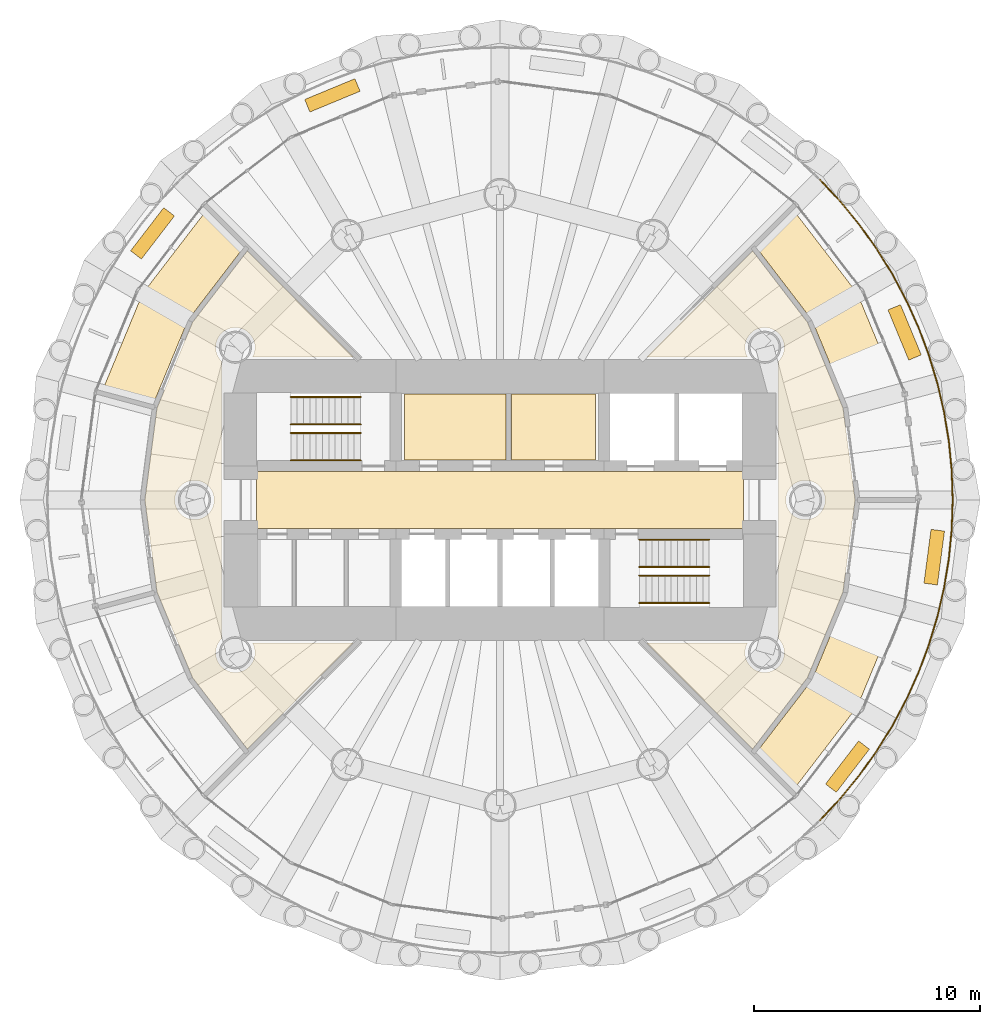
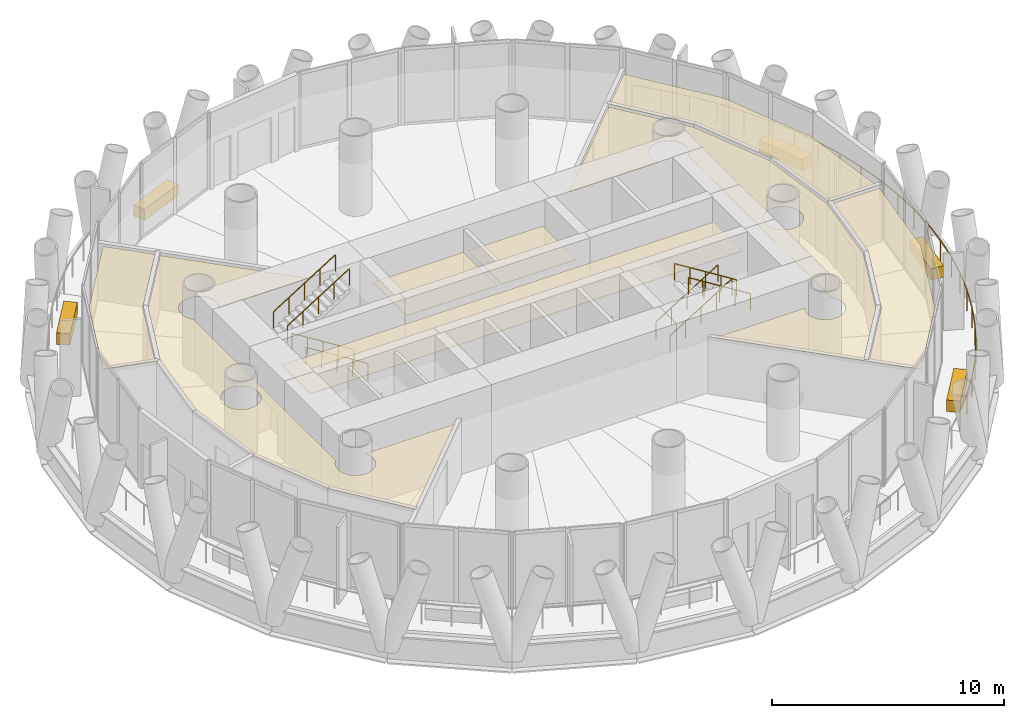
# One storey, part 11 of 12: 13 coverings, 9 railings.
"""IFC4 building model written with IfcOpenShell, lengths in metres."""

from ifc_helpers import new_model, si_unit, direction, frame, origin, origin_2d, place, context, subcontext, project, spatial, polyline, rectangle, circle, outline, extrude, material, layer, layer_set, type_object, element, save


model = new_model("IFC4")

# Units and contexts
model_context = context("Model", 3, precision=1e-05, world=origin(), true_north=direction((0.0, 1.0)))
body_context = subcontext(model_context, "Body", "Model", "MODEL_VIEW")
ifc_project = project(units=[si_unit("LENGTHUNIT", "METRE"), si_unit("AREAUNIT", "SQUARE_METRE"), si_unit("VOLUMEUNIT", "CUBIC_METRE"), si_unit("PLANEANGLEUNIT", "RADIAN"), si_unit("MASSUNIT", "GRAM", prefix="KILO")], contexts=[model_context])

# Site, building, storey
site_placement = place(None, origin())
site = spatial("IfcSite", under=ifc_project, at=site_placement, CompositionType="ELEMENT")
building_placement = place(site_placement, origin())
building = spatial("IfcBuilding", under=site, at=building_placement, Name="Qaws Media Tower", CompositionType="ELEMENT")
storey_placement = place(building_placement, frame((0.0, 0.0, 278.0)))
storey = spatial("IfcBuildingStorey", under=building, at=storey_placement, Name="L64", CompositionType="ELEMENT", Elevation=278.0)

# Covering
ifc_material_1 = material(Name="40 perforated acoustic panels with mineral wool backing, suspended", Category="mineral fibre")
ifc_layer_1 = layer(ifc_material_1, 0.0400390625)
ifc_layer_set_1 = layer_set([ifc_layer_1], Name="Acoustic panel ceiling 40")
covering_type_1 = type_object("IfcCoveringType", Name="Acoustic panel ceiling 40", PredefinedType="CEILING", material=ifc_layer_set_1)
covering_1_placement = place(storey_placement, frame((0.0, 0.0, 2.85009765625)))
element("IfcCovering", 1, at=covering_1_placement, inside=storey, type_object=covering_type_1, Name="CL3 ceiling L64-04 Private dining room", PredefinedType="CEILING", context=body_context, shape_type="SweptSolid", body=[
    extrude(outline(polyline([(44.207763671875, 59.11767578125), (47.03662109375, 62.80419921875), (48.678466796875, 61.16259765625), (46.218505859375, 57.956787109375), (44.672119140625, 54.223388671875), (42.429443359375, 54.824462890625), (44.207763671875, 59.11767578125)])), origin(), (0.0, 0.0, 1.0), 0.039794921875),
])

# Railing
ifc_material_2 = material(Name="Stainless steel and glass guard", Category="steel")
railing_type_1 = type_object("IfcRailingType", Name="Balcony guard 1100", PredefinedType="GUARDRAIL", material=ifc_material_2)
railing_placement = place(storey_placement, frame((74.14208984375, 35.85791015625, 0.0)))
element("IfcRailing", 2, at=railing_placement, inside=storey, type_object=railing_type_1, Name="GR1 balcony guard L64-4", PredefinedType="GUARDRAIL", context=body_context, shape_type="SweptSolid", body=[
    extrude(circle(Radius=0.02392578125, at=origin_2d()), frame((0.0, 0.0, 1.076171875), z_axis=(0.683692877753, 0.729769860237, 0.0), x_axis=(-0.729769860237, 0.683692877753, 0.0)), (0.0, 0.0, 1.0), 1.308837890625),
    extrude(circle(Radius=0.02392578125, at=origin_2d()), frame((0.894775390625, 0.955078125, 1.076171875), z_axis=(0.634405220754, 0.773000657102, 0.0), x_axis=(-0.773000657102, 0.634405220754, 0.0)), (0.0, 0.0, 1.0), 1.308837890625),
    extrude(circle(Radius=0.02392578125, at=origin_2d()), frame((1.72509765625, 1.966796875, 1.076171875), z_axis=(0.582366936008, 0.812926043281, 0.0), x_axis=(-0.812926043281, 0.582366936008, 0.0)), (0.0, 0.0, 1.0), 1.308837890625),
    extrude(circle(Radius=0.02392578125, at=origin_2d()), frame((2.4873046875, 3.03076171875, 1.076171875), z_axis=(0.528119576153, 0.849170014358, 0.0), x_axis=(-0.849170014358, 0.528119576153, 0.0)), (0.0, 0.0, 1.0), 1.308837890625),
    extrude(circle(Radius=0.02392578125, at=origin_2d()), frame((3.178466796875, 4.14208984375, 1.076171875), z_axis=(0.471372268178, 0.881934342677, 0.0), x_axis=(-0.881934342677, 0.471372268178, 0.0)), (0.0, 0.0, 1.0), 1.308837890625),
    extrude(circle(Radius=0.02392578125, at=origin_2d()), frame((3.79541015625, 5.29638671875, 1.076171875), z_axis=(0.412636063644, 0.910895975938, 0.0), x_axis=(-0.910895975938, 0.412636063644, 0.0)), (0.0, 0.0, 1.0), 1.308837890625),
    extrude(circle(Radius=0.02392578125, at=origin_2d()), frame((4.33544921875, 6.488525390625, 1.076171875), z_axis=(0.352370123393, 0.935860724756, 0.0), x_axis=(-0.935860724756, 0.352370123393, 0.0)), (0.0, 0.0, 1.0), 1.308837890625),
    extrude(circle(Radius=0.02392578125, at=origin_2d()), frame((4.796630859375, 7.71337890625, 1.076171875), z_axis=(0.290255896027, 0.95694906595, 0.0), x_axis=(-0.95694906595, 0.290255896027, 0.0)), (0.0, 0.0, 1.0), 1.308837890625),
    extrude(circle(Radius=0.02392578125, at=origin_2d()), frame((5.176513671875, 8.9658203125, 1.076171875), z_axis=(0.227052677428, 0.973882478368, 0.0), x_axis=(-0.973882478368, 0.227052677428, 0.0)), (0.0, 0.0, 1.0), 1.30859375),
    extrude(circle(Radius=0.02392578125, at=origin_2d()), frame((5.4736328125, 10.240234375, 1.076171875), z_axis=(0.162855987782, 0.986649850374, 0.0), x_axis=(-0.986649850374, 0.162855987782, 0.0)), (0.0, 0.0, 1.0), 1.308837890625),
    extrude(circle(Radius=0.02392578125, at=origin_2d()), frame((5.686767578125, 11.531494140625, 1.076171875), z_axis=(0.098118447075, 0.995174743622, 0.0), x_axis=(-0.995174743622, 0.098118447075, 0.0)), (0.0, 0.0, 1.0), 1.308837890625),
    extrude(circle(Radius=0.02392578125, at=origin_2d()), frame((5.815185546875, 12.833984375, 1.076171875), z_axis=(0.032644033644, 0.999467041511, 0.0), x_axis=(-0.999467041511, 0.032644033644, 0.0)), (0.0, 0.0, 1.0), 1.308837890625),
    extrude(circle(Radius=0.02392578125, at=origin_2d()), frame((5.85791015625, 14.14208984375, 1.076171875), z_axis=(-0.032644033644, 0.999467041511, 0.0), x_axis=(-0.999467041511, -0.032644033644, 0.0)), (0.0, 0.0, 1.0), 1.308837890625),
    extrude(circle(Radius=0.02392578125, at=origin_2d()), frame((5.815185546875, 15.4501953125, 1.076171875), z_axis=(-0.098118447075, 0.995174743622, 0.0), x_axis=(-0.995174743622, -0.098118447075, 0.0)), (0.0, 0.0, 1.0), 1.308837890625),
    extrude(circle(Radius=0.02392578125, at=origin_2d()), frame((5.686767578125, 16.752685546875, 1.076171875), z_axis=(-0.162855987782, 0.986649850374, 0.0), x_axis=(-0.986649850374, -0.162855987782, 0.0)), (0.0, 0.0, 1.0), 1.308837890625),
    extrude(circle(Radius=0.02392578125, at=origin_2d()), frame((5.4736328125, 18.0439453125, 1.076171875), z_axis=(-0.227052677428, 0.973882478368, 0.0), x_axis=(-0.973882478368, -0.227052677428, 0.0)), (0.0, 0.0, 1.0), 1.30859375),
    extrude(circle(Radius=0.02392578125, at=origin_2d()), frame((5.176513671875, 19.318359375, 1.076171875), z_axis=(-0.290255896027, 0.95694906595, 0.0), x_axis=(-0.95694906595, -0.290255896027, 0.0)), (0.0, 0.0, 1.0), 1.308837890625),
    extrude(circle(Radius=0.02392578125, at=origin_2d()), frame((4.796630859375, 20.57080078125, 1.076171875), z_axis=(-0.352370123393, 0.935860724756, 0.0), x_axis=(-0.935860724756, -0.352370123393, 0.0)), (0.0, 0.0, 1.0), 1.308837890625),
    extrude(circle(Radius=0.02392578125, at=origin_2d()), frame((4.33544921875, 21.795654296875, 1.076171875), z_axis=(-0.412636063644, 0.910895975938, 0.0), x_axis=(-0.910895975938, -0.412636063644, 0.0)), (0.0, 0.0, 1.0), 1.308837890625),
    extrude(circle(Radius=0.02392578125, at=origin_2d()), frame((3.79541015625, 22.98779296875, 1.076171875), z_axis=(-0.471372268178, 0.881934342677, 0.0), x_axis=(-0.881934342677, -0.471372268178, 0.0)), (0.0, 0.0, 1.0), 1.308837890625),
    extrude(circle(Radius=0.02392578125, at=origin_2d()), frame((3.178466796875, 24.14208984375, 1.076171875), z_axis=(-0.528119576153, 0.849170014358, 0.0), x_axis=(-0.849170014358, -0.528119576153, 0.0)), (0.0, 0.0, 1.0), 1.308837890625),
    extrude(circle(Radius=0.02392578125, at=origin_2d()), frame((2.4873046875, 25.25341796875, 1.076171875), z_axis=(-0.582366936008, 0.812926043281, 0.0), x_axis=(-0.812926043281, -0.582366936008, 0.0)), (0.0, 0.0, 1.0), 1.308837890625),
    extrude(circle(Radius=0.02392578125, at=origin_2d()), frame((1.72509765625, 26.3173828125, 1.076171875), z_axis=(-0.634405220754, 0.773000657102, 0.0), x_axis=(-0.773000657102, -0.634405220754, 0.0)), (0.0, 0.0, 1.0), 1.308837890625),
    extrude(circle(Radius=0.02392578125, at=origin_2d()), frame((0.894775390625, 27.3291015625, 1.076171875), z_axis=(-0.683692877753, 0.729769860237, 0.0), x_axis=(-0.729769860237, -0.683692877753, 0.0)), (0.0, 0.0, 1.0), 1.308837890625),
    extrude(circle(Radius=0.02099609375, at=origin_2d()), origin(), (0.0, 0.0, 1.0), 1.052001953125),
    extrude(circle(Radius=0.02099609375, at=origin_2d()), frame((0.894775390625, 0.955078125, 0.0)), (0.0, 0.0, 1.0), 1.052001953125),
    extrude(circle(Radius=0.02099609375, at=origin_2d()), frame((1.72509765625, 1.966796875, 0.0)), (0.0, 0.0, 1.0), 1.052001953125),
    extrude(circle(Radius=0.02099609375, at=origin_2d()), frame((2.4873046875, 3.03076171875, 0.0)), (0.0, 0.0, 1.0), 1.052001953125),
    extrude(circle(Radius=0.02099609375, at=origin_2d()), frame((3.178466796875, 4.14208984375, 0.0)), (0.0, 0.0, 1.0), 1.052001953125),
    extrude(circle(Radius=0.02099609375, at=origin_2d()), frame((3.79541015625, 5.29638671875, 0.0)), (0.0, 0.0, 1.0), 1.052001953125),
    extrude(circle(Radius=0.02099609375, at=origin_2d()), frame((4.33544921875, 6.488525390625, 0.0)), (0.0, 0.0, 1.0), 1.052001953125),
    extrude(circle(Radius=0.02099609375, at=origin_2d()), frame((4.796630859375, 7.71337890625, 0.0)), (0.0, 0.0, 1.0), 1.052001953125),
    extrude(circle(Radius=0.02099609375, at=origin_2d()), frame((5.176513671875, 8.9658203125, 0.0)), (0.0, 0.0, 1.0), 1.052001953125),
    extrude(circle(Radius=0.02099609375, at=origin_2d()), frame((5.4736328125, 10.240234375, 0.0)), (0.0, 0.0, 1.0), 1.052001953125),
    extrude(circle(Radius=0.02099609375, at=origin_2d()), frame((5.686767578125, 11.531494140625, 0.0)), (0.0, 0.0, 1.0), 1.052001953125),
    extrude(circle(Radius=0.02099609375, at=origin_2d()), frame((5.815185546875, 12.833984375, 0.0)), (0.0, 0.0, 1.0), 1.052001953125),
    extrude(circle(Radius=0.02099609375, at=origin_2d()), frame((5.85791015625, 14.14208984375, 0.0)), (0.0, 0.0, 1.0), 1.052001953125),
    extrude(circle(Radius=0.02099609375, at=origin_2d()), frame((5.815185546875, 15.4501953125, 0.0)), (0.0, 0.0, 1.0), 1.052001953125),
    extrude(circle(Radius=0.02099609375, at=origin_2d()), frame((5.686767578125, 16.752685546875, 0.0)), (0.0, 0.0, 1.0), 1.052001953125),
    extrude(circle(Radius=0.02099609375, at=origin_2d()), frame((5.4736328125, 18.0439453125, 0.0)), (0.0, 0.0, 1.0), 1.052001953125),
    extrude(circle(Radius=0.02099609375, at=origin_2d()), frame((5.176513671875, 19.318359375, 0.0)), (0.0, 0.0, 1.0), 1.052001953125),
    extrude(circle(Radius=0.02099609375, at=origin_2d()), frame((4.796630859375, 20.57080078125, 0.0)), (0.0, 0.0, 1.0), 1.052001953125),
    extrude(circle(Radius=0.02099609375, at=origin_2d()), frame((4.33544921875, 21.795654296875, 0.0)), (0.0, 0.0, 1.0), 1.052001953125),
    extrude(circle(Radius=0.02099609375, at=origin_2d()), frame((3.79541015625, 22.98779296875, 0.0)), (0.0, 0.0, 1.0), 1.052001953125),
    extrude(circle(Radius=0.02099609375, at=origin_2d()), frame((3.178466796875, 24.14208984375, 0.0)), (0.0, 0.0, 1.0), 1.052001953125),
    extrude(circle(Radius=0.02099609375, at=origin_2d()), frame((2.4873046875, 25.25341796875, 0.0)), (0.0, 0.0, 1.0), 1.052001953125),
    extrude(circle(Radius=0.02099609375, at=origin_2d()), frame((1.72509765625, 26.3173828125, 0.0)), (0.0, 0.0, 1.0), 1.052001953125),
    extrude(circle(Radius=0.02099609375, at=origin_2d()), frame((0.894775390625, 27.3291015625, 0.0)), (0.0, 0.0, 1.0), 1.052001953125),
    extrude(circle(Radius=0.02099609375, at=origin_2d()), frame((0.0, 28.2841796875, 0.0)), (0.0, 0.0, 1.0), 1.052001953125),
])

# Coverings
ifc_material_3 = material(Name="600 x 600 mineral fibre tiles in exposed grid, suspended", Category="mineral fibre")
ifc_layer_2 = layer(ifc_material_3, 0.02001953125)
ifc_layer_set_2 = layer_set([ifc_layer_2], Name="Mineral fibre tile ceiling 20")
covering_type_2 = type_object("IfcCoveringType", Name="Mineral fibre tile ceiling 20", PredefinedType="CEILING", material=ifc_layer_set_2)
covering_2_placement = place(storey_placement, frame((0.0, 0.0, 2.85009765625)))
element("IfcCovering", 3, at=covering_2_placement, inside=storey, type_object=covering_type_2, Name="CL1 ceiling L64-C07 Ladies toilets", PredefinedType="CEILING", context=body_context, shape_type="SweptSolid", body=[
    extrude(outline(polyline([(55.77001953125, 51.77001953125), (55.77001953125, 54.679931640625), (60.275390625, 54.679931640625), (60.275390625, 51.77001953125), (55.77001953125, 51.77001953125)])), origin(), (0.0, 0.0, 1.0), 0.02001953125),
])
covering_3_placement = place(storey_placement, frame((0.0, 0.0, 2.85009765625)))
element("IfcCovering", 4, at=covering_3_placement, inside=storey, type_object=covering_type_2, Name="CL1 ceiling L64-C08 Gents toilets", PredefinedType="CEILING", context=body_context, shape_type="SweptSolid", body=[
    extrude(outline(polyline([(60.515380859375, 51.77001953125), (60.515380859375, 54.679931640625), (64.22998046875, 54.679931640625), (64.22998046875, 51.77001953125), (60.515380859375, 51.77001953125)])), origin(), (0.0, 0.0, 1.0), 0.02001953125),
])
covering_4_placement = place(storey_placement, frame((0.0, 0.0, 2.85009765625)))
element("IfcCovering", 5, at=covering_4_placement, inside=storey, type_object=covering_type_2, Name="CL1 ceiling L64-01 Corridor", PredefinedType="CEILING", context=body_context, shape_type="SweptSolid", body=[
    extrude(outline(polyline([(73.5849609375, 57.84326171875), (75.152099609375, 54.06005859375), (75.6865234375, 50.0), (75.152099609375, 45.93994140625), (73.5849609375, 42.15673828125), (71.1611328125, 38.998046875), (66.4716796875, 43.6875), (70.9384765625, 43.6875), (70.88671875, 43.583251953125), (70.85009765625, 43.475341796875), (70.827880859375, 43.36376953125), (70.8203125, 43.25), (70.827880859375, 43.13623046875), (70.85009765625, 43.024658203125), (70.88671875, 42.916748046875), (70.93701171875, 42.814453125), (71.000244140625, 42.7197265625), (71.075439453125, 42.634033203125), (71.1611328125, 42.55908203125), (71.255859375, 42.49560546875), (71.35791015625, 42.4453125), (71.4658203125, 42.40869140625), (71.57763671875, 42.386474609375), (71.69140625, 42.37890625), (71.804931640625, 42.386474609375), (71.916748046875, 42.40869140625), (72.024658203125, 42.4453125), (72.126708984375, 42.49560546875), (72.2216796875, 42.55908203125), (72.30712890625, 42.634033203125), (72.38232421875, 42.7197265625), (72.44580078125, 42.814453125), (72.49609375, 42.916748046875), (72.53271484375, 43.024658203125), (72.554931640625, 43.13623046875), (72.562255859375, 43.25), (72.554931640625, 43.36376953125), (72.53271484375, 43.475341796875), (72.49609375, 43.583251953125), (72.44580078125, 43.685546875), (72.38232421875, 43.7802734375), (72.3125, 43.85986328125), (72.3125, 56.14013671875), (72.38232421875, 56.2197265625), (72.44580078125, 56.314453125), (72.49609375, 56.416748046875), (72.53271484375, 56.524658203125), (72.554931640625, 56.63623046875), (72.562255859375, 56.75), (72.554931640625, 56.86376953125), (72.53271484375, 56.975341796875), (72.49609375, 57.083251953125), (72.44580078125, 57.185546875), (72.38232421875, 57.2802734375), (72.30712890625, 57.365966796875), (72.2216796875, 57.44091796875), (72.126708984375, 57.50439453125), (72.024658203125, 57.5546875), (71.916748046875, 57.59130859375), (71.804931640625, 57.613525390625), (71.69140625, 57.62109375), (71.57763671875, 57.613525390625), (71.4658203125, 57.59130859375), (71.35791015625, 57.5546875), (71.255859375, 57.50439453125), (71.1611328125, 57.44091796875), (71.075439453125, 57.365966796875), (71.000244140625, 57.2802734375), (70.93701171875, 57.185546875), (70.88671875, 57.083251953125), (70.85009765625, 56.975341796875), (70.827880859375, 56.86376953125), (70.8203125, 56.75), (70.827880859375, 56.63623046875), (70.85009765625, 56.524658203125), (70.88671875, 56.416748046875), (70.9384765625, 56.3125), (66.4716796875, 56.3125), (71.1611328125, 61.001953125), (73.5849609375, 57.84326171875)]), holes=[polyline([(74.34130859375, 49.774658203125), (74.363525390625, 49.88623046875), (74.37109375, 50.0), (74.363525390625, 50.11376953125), (74.34130859375, 50.225341796875), (74.3046875, 50.333251953125), (74.25439453125, 50.435546875), (74.19091796875, 50.5302734375), (74.115966796875, 50.615966796875), (74.0302734375, 50.69091796875), (73.935546875, 50.75439453125), (73.833251953125, 50.8046875), (73.725341796875, 50.84130859375), (73.61376953125, 50.863525390625), (73.5, 50.87109375), (73.38623046875, 50.863525390625), (73.274658203125, 50.84130859375), (73.166748046875, 50.8046875), (73.064453125, 50.75439453125), (72.9697265625, 50.69091796875), (72.884033203125, 50.615966796875), (72.80908203125, 50.5302734375), (72.74560546875, 50.435546875), (72.6953125, 50.333251953125), (72.65869140625, 50.225341796875), (72.636474609375, 50.11376953125), (72.62890625, 50.0), (72.636474609375, 49.88623046875), (72.65869140625, 49.774658203125), (72.6953125, 49.666748046875), (72.74560546875, 49.564453125), (72.80908203125, 49.4697265625), (72.884033203125, 49.384033203125), (72.9697265625, 49.30908203125), (73.064453125, 49.24560546875), (73.166748046875, 49.1953125), (73.274658203125, 49.15869140625), (73.38623046875, 49.136474609375), (73.5, 49.12890625), (73.61376953125, 49.136474609375), (73.725341796875, 49.15869140625), (73.833251953125, 49.1953125), (73.935546875, 49.24560546875), (74.0302734375, 49.30908203125), (74.115966796875, 49.384033203125), (74.19091796875, 49.4697265625), (74.25439453125, 49.564453125), (74.3046875, 49.666748046875), (74.34130859375, 49.774658203125)])]), origin(), (0.0, 0.0, 1.0), 0.02001953125),
])
covering_5_placement = place(storey_placement, frame((0.0, 0.0, 2.85009765625)))
element("IfcCovering", 6, at=covering_5_placement, inside=storey, type_object=covering_type_2, Name="CL1 ceiling L64-01-1 Corridor", PredefinedType="CEILING", context=body_context, shape_type="SweptSolid", body=[
    extrude(outline(polyline([(44.847900390625, 54.06005859375), (46.4150390625, 57.84326171875), (48.8388671875, 61.001953125), (53.5283203125, 56.3125), (49.0615234375, 56.3125), (49.11328125, 56.416748046875), (49.14990234375, 56.524658203125), (49.172119140625, 56.63623046875), (49.1796875, 56.75), (49.172119140625, 56.86376953125), (49.14990234375, 56.975341796875), (49.11328125, 57.083251953125), (49.06298828125, 57.185546875), (48.999755859375, 57.2802734375), (48.924560546875, 57.365966796875), (48.8388671875, 57.44091796875), (48.744140625, 57.50439453125), (48.64208984375, 57.5546875), (48.5341796875, 57.59130859375), (48.42236328125, 57.613525390625), (48.30859375, 57.62109375), (48.195068359375, 57.613525390625), (48.083251953125, 57.59130859375), (47.975341796875, 57.5546875), (47.873291015625, 57.50439453125), (47.7783203125, 57.44091796875), (47.69287109375, 57.365966796875), (47.61767578125, 57.2802734375), (47.55419921875, 57.185546875), (47.50390625, 57.083251953125), (47.46728515625, 56.975341796875), (47.445068359375, 56.86376953125), (47.437744140625, 56.75), (47.445068359375, 56.63623046875), (47.46728515625, 56.524658203125), (47.50390625, 56.416748046875), (47.55419921875, 56.314453125), (47.61767578125, 56.2197265625), (47.6875, 56.14013671875), (47.6875, 43.85986328125), (47.61767578125, 43.7802734375), (47.55419921875, 43.685546875), (47.50390625, 43.583251953125), (47.46728515625, 43.475341796875), (47.445068359375, 43.36376953125), (47.437744140625, 43.25), (47.445068359375, 43.13623046875), (47.46728515625, 43.024658203125), (47.50390625, 42.916748046875), (47.55419921875, 42.814453125), (47.61767578125, 42.7197265625), (47.69287109375, 42.634033203125), (47.7783203125, 42.55908203125), (47.873291015625, 42.49560546875), (47.975341796875, 42.4453125), (48.083251953125, 42.40869140625), (48.195068359375, 42.386474609375), (48.30859375, 42.37890625), (48.42236328125, 42.386474609375), (48.5341796875, 42.40869140625), (48.64208984375, 42.4453125), (48.744140625, 42.49560546875), (48.8388671875, 42.55908203125), (48.924560546875, 42.634033203125), (48.999755859375, 42.7197265625), (49.06298828125, 42.814453125), (49.11328125, 42.916748046875), (49.14990234375, 43.024658203125), (49.172119140625, 43.13623046875), (49.1796875, 43.25), (49.172119140625, 43.36376953125), (49.14990234375, 43.475341796875), (49.11328125, 43.583251953125), (49.0615234375, 43.6875), (53.5283203125, 43.6875), (48.8388671875, 38.998046875), (46.4150390625, 42.15673828125), (44.847900390625, 45.93994140625), (44.3134765625, 50.0), (44.847900390625, 54.06005859375)]), holes=[polyline([(47.3046875, 49.666748046875), (47.34130859375, 49.774658203125), (47.363525390625, 49.88623046875), (47.37109375, 50.0), (47.363525390625, 50.11376953125), (47.34130859375, 50.225341796875), (47.3046875, 50.333251953125), (47.25439453125, 50.435546875), (47.19091796875, 50.5302734375), (47.115966796875, 50.615966796875), (47.0302734375, 50.69091796875), (46.935546875, 50.75439453125), (46.833251953125, 50.8046875), (46.725341796875, 50.84130859375), (46.61376953125, 50.863525390625), (46.5, 50.87109375), (46.38623046875, 50.863525390625), (46.274658203125, 50.84130859375), (46.166748046875, 50.8046875), (46.064453125, 50.75439453125), (45.9697265625, 50.69091796875), (45.884033203125, 50.615966796875), (45.80908203125, 50.5302734375), (45.74560546875, 50.435546875), (45.6953125, 50.333251953125), (45.65869140625, 50.225341796875), (45.636474609375, 50.11376953125), (45.62890625, 50.0), (45.636474609375, 49.88623046875), (45.65869140625, 49.774658203125), (45.6953125, 49.666748046875), (45.74560546875, 49.564453125), (45.80908203125, 49.4697265625), (45.884033203125, 49.384033203125), (45.9697265625, 49.30908203125), (46.064453125, 49.24560546875), (46.166748046875, 49.1953125), (46.274658203125, 49.15869140625), (46.38623046875, 49.136474609375), (46.5, 49.12890625), (46.61376953125, 49.136474609375), (46.725341796875, 49.15869140625), (46.833251953125, 49.1953125), (46.935546875, 49.24560546875), (47.0302734375, 49.30908203125), (47.115966796875, 49.384033203125), (47.19091796875, 49.4697265625), (47.25439453125, 49.564453125), (47.3046875, 49.666748046875)])]), origin(), (0.0, 0.0, 1.0), 0.02001953125),
])
covering_6_placement = place(storey_placement, frame((0.0, 0.0, 2.85009765625)))
element("IfcCovering", 7, at=covering_6_placement, inside=storey, type_object=covering_type_2, Name="CL1 ceiling L64-02 Guest lounge", PredefinedType="CEILING", context=body_context, shape_type="SweptSolid", body=[
    extrude(outline(polyline([(75.792236328125, 59.11767578125), (77.614013671875, 54.719482421875), (78.220458984375, 50.112548828125), (75.898681640625, 50.112548828125), (75.37109375, 54.11865234375), (73.781494140625, 57.956787109375), (71.321533203125, 61.16259765625), (72.96337890625, 62.80419921875), (75.792236328125, 59.11767578125)])), origin(), (0.0, 0.0, 1.0), 0.02001953125),
])
covering_7_placement = place(storey_placement, frame((0.0, 0.0, 2.85009765625)))
element("IfcCovering", 8, at=covering_7_placement, inside=storey, type_object=covering_type_2, Name="CL1 ceiling L64-08 Cigar and coffee lounge", PredefinedType="CEILING", context=body_context, shape_type="SweptSolid", body=[
    extrude(outline(polyline([(77.614013671875, 45.280517578125), (75.792236328125, 40.88232421875), (72.96337890625, 37.19580078125), (71.321533203125, 38.83740234375), (73.781494140625, 42.043212890625), (75.37109375, 45.88134765625), (75.898681640625, 49.887451171875), (78.220458984375, 49.887451171875), (77.614013671875, 45.280517578125)])), origin(), (0.0, 0.0, 1.0), 0.02001953125),
])
ifc_material_4 = material(Name="Precast concrete planter with trailing planting", Category="concrete")
ifc_layer_3 = layer(ifc_material_4, 0.60009765625)
ifc_layer_set_3 = layer_set([ifc_layer_3], Name="Planter 2400x600")
covering_type_3 = type_object("IfcCoveringType", Name="Planter 2400x600", PredefinedType="USERDEFINED", material=ifc_layer_set_3)
for number, where, z_axis, x_axis, name in (
    (9, (77.876953125, 57.405029296875, 0.0), (0.0, 0.0, 1.0), (-0.382683432365, 0.923879532511, 0.0), "PL1 balcony planter L64-01"),
    (10, (52.594970703125, 67.876953125, 0.0), (0.0, 0.0, 1.0), (-0.923879532511, -0.382683432365, 0.0), "PL1 balcony planter L64-04"),
    (11, (44.648681640625, 61.779541015625, 0.0), (0.0, 0.0, 1.0), (-0.608761429009, -0.793353340291, 0.0), "PL1 balcony planter L64-05"),
    (12, (75.351318359375, 38.220458984375, 0.0), (0.0, 0.0, 1.0), (0.608761429009, 0.793353340291, 0.0), "PL1 balcony planter L64-11"),
    (13, (79.1845703125, 47.474365234375, 0.0), (0.0, 0.0, 1.0), (0.13052619222, 0.991444861374, 0.0), "PL1 balcony planter L64-12"),
):
    element("IfcCovering", number, at=place(storey_placement, frame(where, z_axis=z_axis, x_axis=x_axis)), inside=storey, type_object=covering_type_3, Name=name, ObjectType="PLANTER", PredefinedType="USERDEFINED", context=body_context, shape_type="SweptSolid", body=[
        extrude(rectangle(XDim=2.39990234375, YDim=0.60009765625, at=origin_2d()), origin(), (0.0, 0.0, 1.0), 0.60009765625),
    ])
ifc_material_5 = material(Name="Two layers 12.5 moisture-resistant plasterboard on suspended metal furring", Category="gypsum")
ifc_layer_4 = layer(ifc_material_5, 0.02490234375)
ifc_layer_set_4 = layer_set([ifc_layer_4], Name="Plasterboard ceiling 25")
covering_type_4 = type_object("IfcCoveringType", Name="Plasterboard ceiling 25", PredefinedType="CEILING", material=ifc_layer_set_4)
covering_8_placement = place(storey_placement, frame((0.0, 0.0, 2.85009765625)))
element("IfcCovering", 14, at=covering_8_placement, inside=storey, type_object=covering_type_4, Name="CL2 ceiling L64-C01 Lift lobby", PredefinedType="CEILING", context=body_context, shape_type="SweptSolid", body=[
    extrude(outline(polyline([(49.25, 48.75), (49.25, 51.25), (70.75, 51.25), (70.75, 48.75), (49.25, 48.75)])), origin(), (0.0, 0.0, 1.0), 0.02490234375),
])

# Railings
ifc_material_6 = material(Name="Steel tube handrail", Category="steel")
railing_type_2 = type_object("IfcRailingType", Name="Stair handrail 900", PredefinedType="HANDRAIL", material=ifc_material_6)
for number, where, name in (
    (15, (53.840087890625, 51.75, 0.175048828125), "HR1 handrail S1 flight 1 L64"),
    (16, (53.840087890625, 52.9599609375, 0.175048828125), "HR1 handrail S1 flight 1 L64"),
):
    element("IfcRailing", number, at=place(storey_placement, frame(where)), inside=storey, type_object=railing_type_2, Name=name, PredefinedType="HANDRAIL", context=body_context, shape_type="SweptSolid", body=[
        extrude(circle(Radius=0.02392578125, at=origin_2d()), frame((0.0, 0.0, 0.8759765625), z_axis=(-0.847998304005, 0.0, 0.529998940003), x_axis=(0.0, -1.0, 0.0)), (0.0, 0.0, 1.0), 3.632080078125),
        extrude(circle(Radius=0.02099609375, at=origin_2d()), origin(), (0.0, 0.0, 1.0), 0.851806640625),
        extrude(circle(Radius=0.02099609375, at=origin_2d()), frame((-0.77001953125, 0.0, 0.481201171875)), (0.0, 0.0, 1.0), 0.851806640625),
        extrude(circle(Radius=0.02099609375, at=origin_2d()), frame((-1.5400390625, 0.0, 0.96240234375)), (0.0, 0.0, 1.0), 0.851806640625),
        extrude(circle(Radius=0.02099609375, at=origin_2d()), frame((-2.31005859375, 0.0, 1.44384765625)), (0.0, 0.0, 1.0), 0.851806640625),
        extrude(circle(Radius=0.02099609375, at=origin_2d()), frame((-3.080078125, 0.0, 1.925048828125)), (0.0, 0.0, 1.0), 0.851806640625),
    ])
for number, where, name in (
    (17, (50.760009765625, 54.550048828125, 2.27490234375), "HR1 handrail S1 flight 2 L64"),
    (18, (50.760009765625, 53.340087890625, 2.27490234375), "HR1 handrail S1 flight 2 L64"),
    (19, (66.159912109375, 48.25, 0.175048828125), "HR1 handrail S2 flight 1 L64"),
    (20, (66.159912109375, 47.0400390625, 0.175048828125), "HR1 handrail S2 flight 1 L64"),
):
    element("IfcRailing", number, at=place(storey_placement, frame(where)), inside=storey, type_object=railing_type_2, Name=name, PredefinedType="HANDRAIL", context=body_context, shape_type="SweptSolid", body=[
        extrude(circle(Radius=0.02392578125, at=origin_2d()), frame((0.0, 0.0, 0.8759765625), z_axis=(0.847998304005, 0.0, 0.529998940003), x_axis=(0.0, 1.0, 0.0)), (0.0, 0.0, 1.0), 3.632080078125),
        extrude(circle(Radius=0.02099609375, at=origin_2d()), origin(), (0.0, 0.0, 1.0), 0.851806640625),
        extrude(circle(Radius=0.02099609375, at=origin_2d()), frame((0.77001953125, 0.0, 0.481201171875)), (0.0, 0.0, 1.0), 0.851806640625),
        extrude(circle(Radius=0.02099609375, at=origin_2d()), frame((1.5400390625, 0.0, 0.96240234375)), (0.0, 0.0, 1.0), 0.851806640625),
        extrude(circle(Radius=0.02099609375, at=origin_2d()), frame((2.31005859375, 0.0, 1.44384765625)), (0.0, 0.0, 1.0), 0.851806640625),
        extrude(circle(Radius=0.02099609375, at=origin_2d()), frame((3.080078125, 0.0, 1.925048828125)), (0.0, 0.0, 1.0), 0.851806640625),
    ])
for number, where, name in (
    (21, (69.239990234375, 45.449951171875, 2.27490234375), "HR1 handrail S2 flight 2 L64"),
    (22, (69.239990234375, 46.659912109375, 2.27490234375), "HR1 handrail S2 flight 2 L64"),
):
    element("IfcRailing", number, at=place(storey_placement, frame(where)), inside=storey, type_object=railing_type_2, Name=name, PredefinedType="HANDRAIL", context=body_context, shape_type="SweptSolid", body=[
        extrude(circle(Radius=0.02392578125, at=origin_2d()), frame((0.0, 0.0, 0.8759765625), z_axis=(-0.847998304005, 0.0, 0.529998940003), x_axis=(0.0, -1.0, 0.0)), (0.0, 0.0, 1.0), 3.632080078125),
        extrude(circle(Radius=0.02099609375, at=origin_2d()), origin(), (0.0, 0.0, 1.0), 0.851806640625),
        extrude(circle(Radius=0.02099609375, at=origin_2d()), frame((-0.77001953125, 0.0, 0.481201171875)), (0.0, 0.0, 1.0), 0.851806640625),
        extrude(circle(Radius=0.02099609375, at=origin_2d()), frame((-1.5400390625, 0.0, 0.96240234375)), (0.0, 0.0, 1.0), 0.851806640625),
        extrude(circle(Radius=0.02099609375, at=origin_2d()), frame((-2.31005859375, 0.0, 1.44384765625)), (0.0, 0.0, 1.0), 0.851806640625),
        extrude(circle(Radius=0.02099609375, at=origin_2d()), frame((-3.080078125, 0.0, 1.925048828125)), (0.0, 0.0, 1.0), 0.851806640625),
    ])

save(model, "model.ifc")
